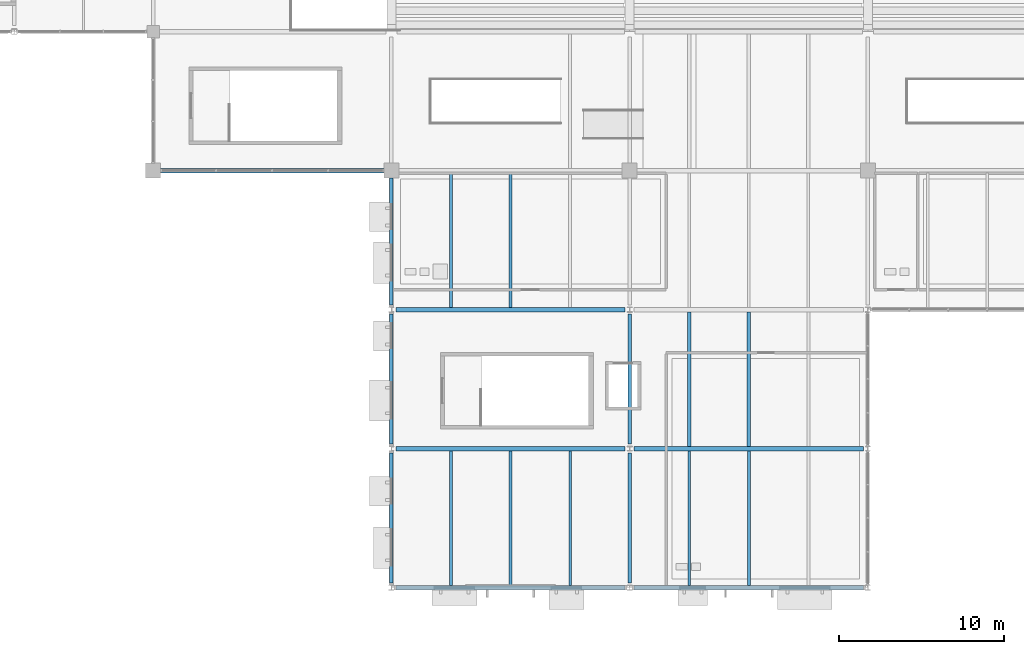
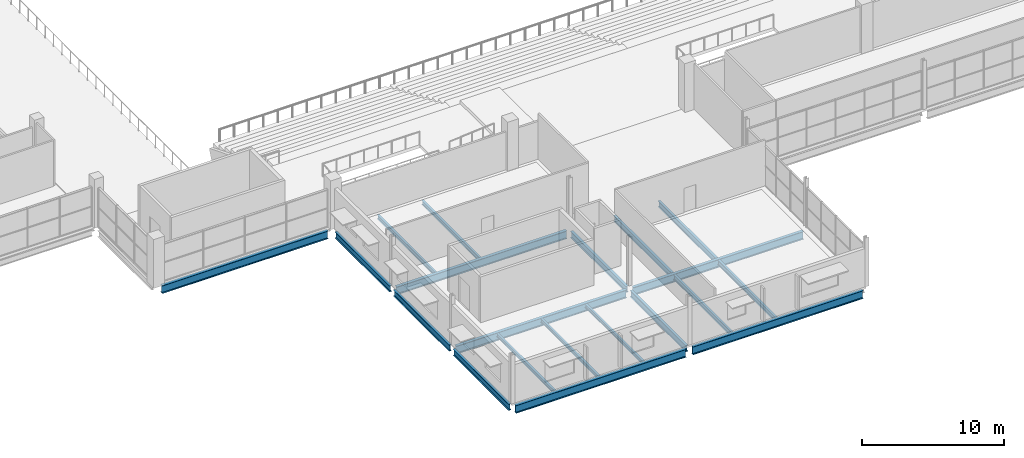
# One storey, part 19 of 161: 20 beams.
"""IFC4 building model written with IfcOpenShell, lengths in metres."""

from ifc_helpers import new_model, si_unit, direction, frame, origin, origin_2d, place, context, subcontext, project, spatial, i_section, extrude, material, material_profile, profile_set, type_object, element, save


model = new_model("IFC4")

# Units and contexts
model_context = context("Model", 3, precision=1e-05, world=origin(), true_north=direction((0.0, 1.0)))
body_context = subcontext(model_context, "Body", "Model", "MODEL_VIEW")
ifc_project = project(units=[si_unit("LENGTHUNIT", "METRE"), si_unit("AREAUNIT", "SQUARE_METRE"), si_unit("VOLUMEUNIT", "CUBIC_METRE"), si_unit("PLANEANGLEUNIT", "RADIAN"), si_unit("MASSUNIT", "GRAM", prefix="KILO"), si_unit("THERMODYNAMICTEMPERATUREUNIT", "KELVIN")], contexts=[model_context])

# Site, building, storey
site_placement = place(None, origin())
site = spatial("IfcSite", under=ifc_project, at=site_placement, CompositionType="ELEMENT")
building_placement = place(site_placement, origin())
building = spatial("IfcBuilding", under=site, at=building_placement, Name="Nduvali Passage Aquatics Centre", CompositionType="ELEMENT")
storey_placement = place(building_placement, frame((0.0, 0.0, 4.800048828125)))
storey = spatial("IfcBuildingStorey", under=building, at=storey_placement, Name="L01", CompositionType="ELEMENT", Elevation=4.800048828125)

# Beams
ifc_material = material(Name="Steel S355", Category="steel")
ifc_material_profile_1 = material_profile(ifc_material, i_section(OverallWidth=0.210693359375, OverallDepth=0.53955078125, WebThickness=0.01171875, FlangeThickness=0.018798828125, FilletRadius=0.0126953125, at=origin_2d()), Name="UKB 533x210x109")
ifc_profile_set_1 = profile_set([ifc_material_profile_1], Name="Steel S355")
beam_type_1 = type_object("IfcBeamType", Name="STR-BM-UKB533", PredefinedType="BEAM", material=ifc_profile_set_1)
beam_1_placement = place(storey_placement, frame((54.0, 0.27490234375, -0.553955078125), z_axis=(0.0, 1.0, 0.0), x_axis=(-1.0, 0.0, 0.0)))
element("IfcBeam", 1, at=beam_1_placement, inside=storey, type_object=beam_type_1, Name="L01 Primary Y-Girder B6-0584", PredefinedType="BEAM", context=body_context, shape_type="SweptSolid", body=[
    extrude(i_section(OverallWidth=0.210693359375, OverallDepth=0.53955078125, WebThickness=0.01171875, FlangeThickness=0.018798828125, FilletRadius=0.0126953125, at=origin_2d()), origin(), (0.0, 0.0, 1.0), 7.85009765625),
])
beam_2_placement = place(storey_placement, frame((54.0, 8.675048828125, -0.553955078125), z_axis=(0.0, 1.0, 0.0), x_axis=(-1.0, 0.0, 0.0)))
element("IfcBeam", 2, at=beam_2_placement, inside=storey, type_object=beam_type_1, Name="L01 Primary Y-Girder B6-0585", PredefinedType="BEAM", context=body_context, shape_type="SweptSolid", body=[
    extrude(i_section(OverallWidth=0.210693359375, OverallDepth=0.53955078125, WebThickness=0.01171875, FlangeThickness=0.018798828125, FilletRadius=0.0126953125, at=origin_2d()), origin(), (0.0, 0.0, 1.0), 7.849853515625),
])
ifc_material_profile_2 = material_profile(ifc_material, i_section(OverallWidth=0.210693359375, OverallDepth=0.53955078125, WebThickness=0.01171875, FlangeThickness=0.018798828125, FilletRadius=0.0126953125, at=origin_2d()), Name="UKB 533x210x109")
ifc_profile_set_2 = profile_set([ifc_material_profile_2], Name="Steel S355")
beam_type_2 = type_object("IfcBeamType", Name="STR-BM-UKB533-EXT", PredefinedType="BEAM", material=ifc_profile_set_2)
beam_3_placement = place(storey_placement, frame((39.60009765625, 0.27490234375, -0.553955078125), z_axis=(0.0, 1.0, 0.0), x_axis=(-1.0, 0.0, 0.0)))
element("IfcBeam", 3, at=beam_3_placement, inside=storey, type_object=beam_type_2, Name="L01 Primary Y-Girder B6E-0576", PredefinedType="BEAM", context=body_context, shape_type="SweptSolid", body=[
    extrude(i_section(OverallWidth=0.210693359375, OverallDepth=0.53955078125, WebThickness=0.01171875, FlangeThickness=0.018798828125, FilletRadius=0.0126953125, at=origin_2d()), origin(), (0.0, 0.0, 1.0), 7.85009765625),
])
beam_4_placement = place(storey_placement, frame((39.60009765625, 8.675048828125, -0.553955078125), z_axis=(0.0, 1.0, 0.0), x_axis=(-1.0, 0.0, 0.0)))
element("IfcBeam", 4, at=beam_4_placement, inside=storey, type_object=beam_type_2, Name="L01 Primary Y-Girder B6E-0577", PredefinedType="BEAM", context=body_context, shape_type="SweptSolid", body=[
    extrude(i_section(OverallWidth=0.210693359375, OverallDepth=0.53955078125, WebThickness=0.01171875, FlangeThickness=0.018798828125, FilletRadius=0.0126953125, at=origin_2d()), origin(), (0.0, 0.0, 1.0), 7.849853515625),
])
beam_5_placement = place(storey_placement, frame((39.60009765625, 17.074951171875, -0.553955078125), z_axis=(0.0, 1.0, 0.0), x_axis=(-1.0, 0.0, 0.0)))
element("IfcBeam", 5, at=beam_5_placement, inside=storey, type_object=beam_type_2, Name="L01 Primary Y-Girder B6E-0578", PredefinedType="BEAM", context=body_context, shape_type="SweptSolid", body=[
    extrude(i_section(OverallWidth=0.210693359375, OverallDepth=0.53955078125, WebThickness=0.01171875, FlangeThickness=0.018798828125, FilletRadius=0.0126953125, at=origin_2d()), origin(), (0.0, 0.0, 1.0), 7.675048828125),
])
ifc_material_profile_3 = material_profile(ifc_material, i_section(OverallWidth=0.253662109375, OverallDepth=0.68359375, WebThickness=0.012451171875, FlangeThickness=0.01904296875, FilletRadius=0.01513671875, at=origin_2d()), Name="UKB 686x254x140")
ifc_profile_set_3 = profile_set([ifc_material_profile_3], Name="Steel S355")
beam_type_3 = type_object("IfcBeamType", Name="STR-BM-UKB686", PredefinedType="BEAM", material=ifc_profile_set_3)
for number, where, z_axis, x_axis, name in (
    (6, (39.875, 8.39990234375, -0.625732421875), (1.0, 0.0, 0.0), (0.0, 1.0, 0.0), "L01 Primary X-Girder B4-0431"),
    (7, (54.27490234375, 8.39990234375, -0.625732421875), (1.0, 0.0, 0.0), (0.0, 1.0, 0.0), "L01 Primary X-Girder B4-0432"),
    (8, (39.875, 16.800048828125, -0.625732421875), (1.0, 0.0, 0.0), (0.0, 1.0, 0.0), "L01 Primary X-Girder B4-0436"),
):
    element("IfcBeam", number, at=place(storey_placement, frame(where, z_axis=z_axis, x_axis=x_axis)), inside=storey, type_object=beam_type_3, Name=name, PredefinedType="BEAM", context=body_context, shape_type="SweptSolid", body=[
        extrude(i_section(OverallWidth=0.253662109375, OverallDepth=0.68359375, WebThickness=0.012451171875, FlangeThickness=0.01904296875, FilletRadius=0.01513671875, at=origin_2d()), origin(), (0.0, 0.0, 1.0), 13.85009765625),
    ])
ifc_material_profile_4 = material_profile(ifc_material, i_section(OverallWidth=0.253662109375, OverallDepth=0.68359375, WebThickness=0.012451171875, FlangeThickness=0.01904296875, FilletRadius=0.01513671875, at=origin_2d()), Name="UKB 686x254x140")
ifc_profile_set_4 = profile_set([ifc_material_profile_4], Name="Steel S355")
beam_type_4 = type_object("IfcBeamType", Name="STR-BM-UKB686-EXT", PredefinedType="BEAM", material=ifc_profile_set_4)
for number, where, z_axis, x_axis, name in (
    (9, (39.875, 0.0, -0.625732421875), (1.0, 0.0, 0.0), (0.0, 1.0, 0.0), "L01 Primary X-Girder B4E-0426"),
    (10, (54.27490234375, 0.0, -0.625732421875), (1.0, 0.0, 0.0), (0.0, 1.0, 0.0), "L01 Primary X-Girder B4E-0427"),
):
    element("IfcBeam", number, at=place(storey_placement, frame(where, z_axis=z_axis, x_axis=x_axis)), inside=storey, type_object=beam_type_4, Name=name, PredefinedType="BEAM", context=body_context, shape_type="SweptSolid", body=[
        extrude(i_section(OverallWidth=0.253662109375, OverallDepth=0.68359375, WebThickness=0.012451171875, FlangeThickness=0.01904296875, FilletRadius=0.01513671875, at=origin_2d()), origin(), (0.0, 0.0, 1.0), 13.85009765625),
    ])
beam_6_placement = place(storey_placement, frame((25.64990234375, 25.199951171875, -0.625732421875), z_axis=(1.0, 0.0, 0.0), x_axis=(0.0, 1.0, 0.0)))
element("IfcBeam", 11, at=beam_6_placement, inside=storey, type_object=beam_type_4, Name="L01 Primary X-Girder B4E-0443", PredefinedType="BEAM", context=body_context, shape_type="SweptSolid", body=[
    extrude(i_section(OverallWidth=0.253662109375, OverallDepth=0.68359375, WebThickness=0.012451171875, FlangeThickness=0.01904296875, FilletRadius=0.01513671875, at=origin_2d()), origin(), (0.0, 0.0, 1.0), 13.5),
])
ifc_material_profile_5 = material_profile(ifc_material, i_section(OverallWidth=0.199951171875, OverallDepth=0.5, WebThickness=0.01025390625, FlangeThickness=0.01611328125, FilletRadius=0.02099609375, at=origin_2d()), Name="IPE 500")
ifc_profile_set_5 = profile_set([ifc_material_profile_5], Name="Steel S355")
beam_type_5 = type_object("IfcBeamType", Name="STR-JST-IPE500", PredefinedType="JOIST", material=ifc_profile_set_5)
for number, where, z_axis, x_axis, name in (
    (12, (57.60009765625, 8.52685546875, -0.533935546875), (0.0, 1.0, 0.0), (-1.0, 0.0, 0.0), "L01 Secondary Joist J5A-0703"),
    (13, (61.199951171875, 8.52685546875, -0.533935546875), (0.0, 1.0, 0.0), (-1.0, 0.0, 0.0), "L01 Secondary Joist J5A-0704"),
):
    element("IfcBeam", number, at=place(storey_placement, frame(where, z_axis=z_axis, x_axis=x_axis)), inside=storey, type_object=beam_type_5, Name=name, PredefinedType="JOIST", context=body_context, shape_type="SweptSolid", body=[
        extrude(i_section(OverallWidth=0.199951171875, OverallDepth=0.5, WebThickness=0.01025390625, FlangeThickness=0.01611328125, FilletRadius=0.02099609375, at=origin_2d()), origin(), (0.0, 0.0, 1.0), 8.146240234375),
    ])
ifc_material_profile_6 = material_profile(ifc_material, i_section(OverallWidth=0.165771484375, OverallDepth=0.306640625, WebThickness=0.006591796875, FlangeThickness=0.01171875, FilletRadius=0.0087890625, at=origin_2d()), Name="UKB 305x165x46")
ifc_profile_set_6 = profile_set([ifc_material_profile_6], Name="Steel S355")
beam_type_6 = type_object("IfcBeamType", Name="STR-JST-UKB305", PredefinedType="JOIST", material=ifc_profile_set_6)
for number, where, z_axis, x_axis, name in (
    (14, (43.199951171875, 0.126708984375, -0.437255859375), (0.0, 1.0, 0.0), (-1.0, 0.0, 0.0), "L01 Secondary Joist J3-0690"),
    (15, (46.800048828125, 0.126708984375, -0.437255859375), (0.0, 1.0, 0.0), (-1.0, 0.0, 0.0), "L01 Secondary Joist J3-0691"),
    (16, (50.39990234375, 0.126708984375, -0.437255859375), (0.0, 1.0, 0.0), (-1.0, 0.0, 0.0), "L01 Secondary Joist J3-0692"),
):
    element("IfcBeam", number, at=place(storey_placement, frame(where, z_axis=z_axis, x_axis=x_axis)), inside=storey, type_object=beam_type_6, Name=name, PredefinedType="JOIST", context=body_context, shape_type="SweptSolid", body=[
        extrude(i_section(OverallWidth=0.165771484375, OverallDepth=0.306640625, WebThickness=0.006591796875, FlangeThickness=0.01171875, FilletRadius=0.0087890625, at=origin_2d()), origin(), (0.0, 0.0, 1.0), 8.146484375),
    ])
ifc_material_profile_7 = material_profile(ifc_material, i_section(OverallWidth=0.172119140625, OverallDepth=0.35791015625, WebThickness=0.008056640625, FlangeThickness=0.012939453125, FilletRadius=0.01025390625, at=origin_2d()), Name="UKB 356x171x57")
ifc_profile_set_7 = profile_set([ifc_material_profile_7], Name="Steel S355")
beam_type_7 = type_object("IfcBeamType", Name="STR-JST-UKB356", PredefinedType="JOIST", material=ifc_profile_set_7)
for number, where, z_axis, x_axis, name in (
    (17, (43.199951171875, 16.9267578125, -0.463134765625), (0.0, 1.0, 0.0), (-1.0, 0.0, 0.0), "L01 Secondary Joist J2-0710"),
    (18, (46.800048828125, 16.9267578125, -0.463134765625), (0.0, 1.0, 0.0), (-1.0, 0.0, 0.0), "L01 Secondary Joist J2-0711"),
):
    element("IfcBeam", number, at=place(storey_placement, frame(where, z_axis=z_axis, x_axis=x_axis)), inside=storey, type_object=beam_type_7, Name=name, PredefinedType="JOIST", context=body_context, shape_type="SweptSolid", body=[
        extrude(i_section(OverallWidth=0.172119140625, OverallDepth=0.35791015625, WebThickness=0.008056640625, FlangeThickness=0.012939453125, FilletRadius=0.01025390625, at=origin_2d()), origin(), (0.0, 0.0, 1.0), 8.146484375),
    ])
ifc_material_profile_8 = material_profile(ifc_material, i_section(OverallWidth=0.1787109375, OverallDepth=0.409423828125, WebThickness=0.0087890625, FlangeThickness=0.014404296875, FilletRadius=0.01025390625, at=origin_2d()), Name="UKB 406x178x67")
ifc_profile_set_8 = profile_set([ifc_material_profile_8], Name="Steel S355")
beam_type_8 = type_object("IfcBeamType", Name="STR-JST-UKB406", PredefinedType="JOIST", material=ifc_profile_set_8)
for number, where, z_axis, x_axis, name in (
    (19, (57.60009765625, 0.126708984375, -0.48876953125), (0.0, 1.0, 0.0), (-1.0, 0.0, 0.0), "L01 Secondary Joist J1-0693"),
    (20, (61.199951171875, 0.126708984375, -0.48876953125), (0.0, 1.0, 0.0), (-1.0, 0.0, 0.0), "L01 Secondary Joist J1-0694"),
):
    element("IfcBeam", number, at=place(storey_placement, frame(where, z_axis=z_axis, x_axis=x_axis)), inside=storey, type_object=beam_type_8, Name=name, PredefinedType="JOIST", context=body_context, shape_type="SweptSolid", body=[
        extrude(i_section(OverallWidth=0.1787109375, OverallDepth=0.409423828125, WebThickness=0.0087890625, FlangeThickness=0.014404296875, FilletRadius=0.01025390625, at=origin_2d()), origin(), (0.0, 0.0, 1.0), 8.146484375),
    ])

save(model, "model.ifc")
